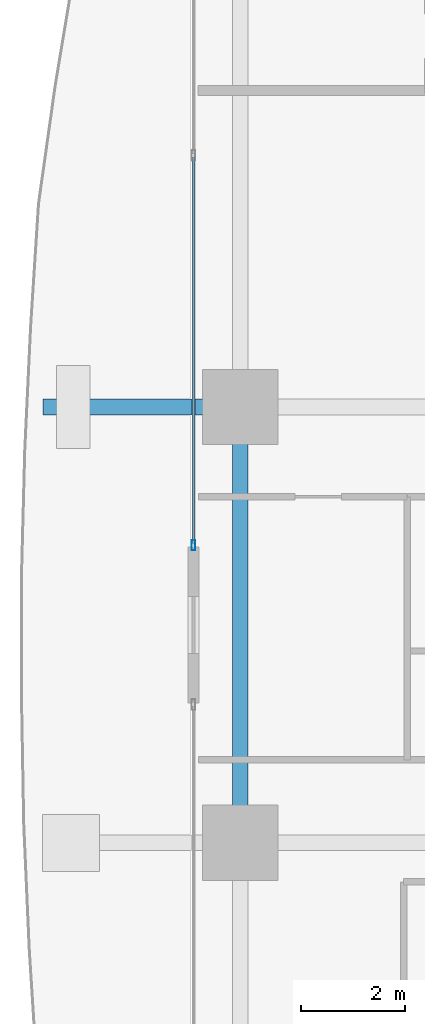
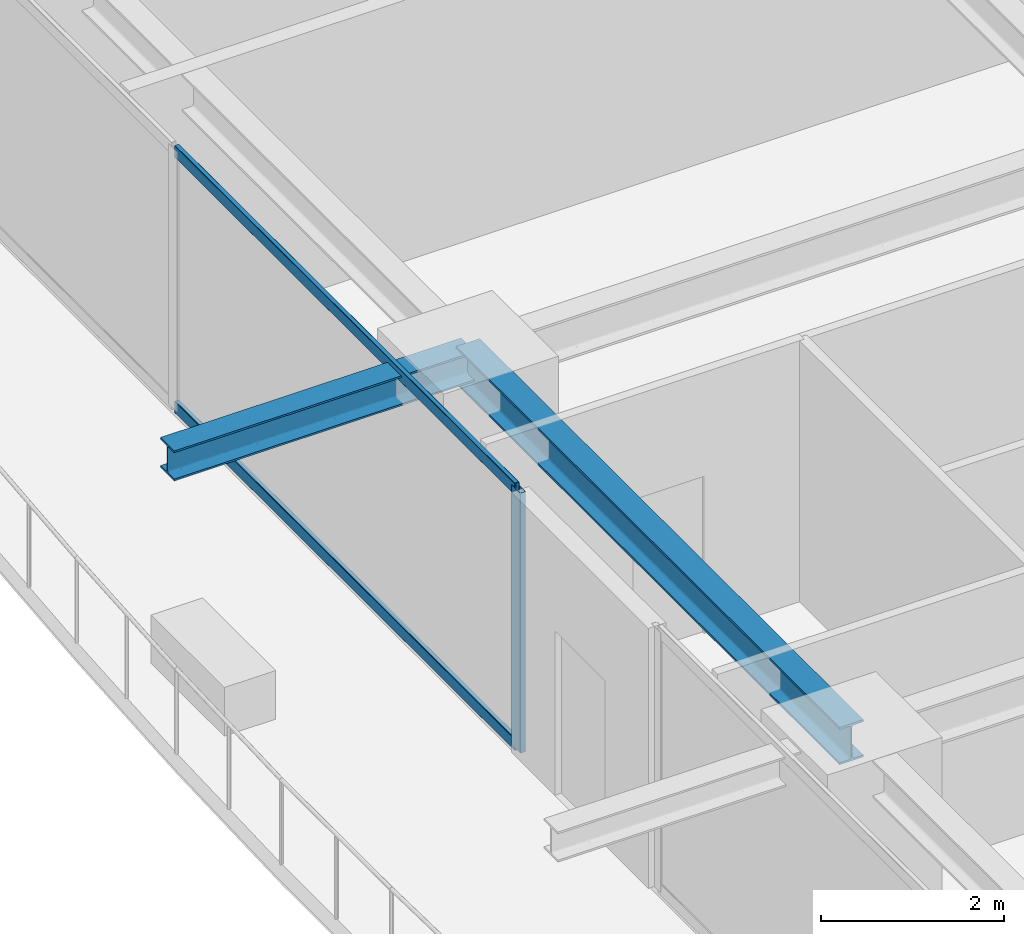
# One storey, part 8 of 34: 3 members, 2 beams, 1 element without a shape of its own.
"""IFC4 building model written with IfcOpenShell, lengths in metres."""

from ifc_helpers import new_model, si_unit, direction, frame, origin, origin_2d, place, context, subcontext, project, spatial, hollow_rectangle, i_section, extrude, source, transform, mapped, material, layer, layer_set, material_profile, profile_set, type_object, element, aggregate, save


model = new_model("IFC4")

# Units and contexts
model_context = context("Model", 3, precision=1e-05, world=origin(), true_north=direction((0.0, 1.0)))
body_context = subcontext(model_context, "Body", "Model", "MODEL_VIEW")
ifc_project = project(units=[si_unit("LENGTHUNIT", "METRE"), si_unit("AREAUNIT", "SQUARE_METRE"), si_unit("VOLUMEUNIT", "CUBIC_METRE"), si_unit("PLANEANGLEUNIT", "RADIAN"), si_unit("MASSUNIT", "GRAM", prefix="KILO")], contexts=[model_context])

# Site, building, storey
site_placement = place(None, origin())
site = spatial("IfcSite", under=ifc_project, at=site_placement, CompositionType="ELEMENT")
building_placement = place(site_placement, origin())
building = spatial("IfcBuilding", under=site, at=building_placement, Name="Serunith Strait Residences", CompositionType="ELEMENT")
storey_placement = place(building_placement, frame((0.0, 0.0, 101.699951171875)))
storey = spatial("IfcBuildingStorey", under=building, at=storey_placement, Name="L25", CompositionType="ELEMENT", Elevation=101.699951171875)

# Beams
ifc_material_1 = material(Name="Steel S355J2", Category="steel")
ifc_material_profile_1 = material_profile(ifc_material_1, i_section(OverallWidth=0.300048828125, OverallDepth=0.5, WebThickness=0.014404296875, FlangeThickness=0.028076171875, FilletRadius=0.027099609375, at=origin_2d()), Name="HEB 500")
ifc_profile_set_1 = profile_set([ifc_material_profile_1], Name="Steel S355J2")
beam_type_1 = type_object("IfcBeamType", Name="BM-HEB500", PredefinedType="BEAM", material=ifc_profile_set_1)
shared_shape_1 = source(origin(), body_context, "Body", "SweptSolid", [
    extrude(i_section(OverallWidth=0.300048828125, OverallDepth=0.5, WebThickness=0.014404296875, FlangeThickness=0.028076171875, FilletRadius=0.027099609375, at=origin_2d()), origin(), (0.0, 0.0, 1.0), 8.39990234375),
])
beam_1_placement = place(storey_placement, frame((6.89990234375, 29.39990234375, 3.237060546875), z_axis=(0.0, -1.0, 0.0), x_axis=(1.0, 0.0, 0.0)))
element("IfcBeam", 1, at=beam_1_placement, inside=storey, type_object=beam_type_1, Name="L25 Perimeter Ring Beam 14", PredefinedType="BEAM", context=body_context, shape_type="MappedRepresentation", body=[
    mapped(shared_shape_1, transform((0.0, 0.0, 0.0), scale=1.0)),
])
ifc_material_profile_2 = material_profile(ifc_material_1, i_section(OverallWidth=0.300048828125, OverallDepth=0.39990234375, WebThickness=0.013427734375, FlangeThickness=0.02392578125, FilletRadius=0.027099609375, at=origin_2d()), Name="HEB 400")
ifc_profile_set_2 = profile_set([ifc_material_profile_2], Name="Steel S355J2")
beam_type_2 = type_object("IfcBeamType", Name="BM-HEB400", PredefinedType="BEAM", material=ifc_profile_set_2)
shared_shape_2 = source(origin(), body_context, "Body", "SweptSolid", [
    extrude(i_section(OverallWidth=0.300048828125, OverallDepth=0.39990234375, WebThickness=0.013427734375, FlangeThickness=0.02392578125, FilletRadius=0.027099609375, at=origin_2d()), origin(), (0.0, 0.0, 1.0), 3.7998046875),
])
beam_2_placement = place(storey_placement, frame((6.89990234375, 29.39990234375, 3.257080078125), z_axis=(-1.0, 0.0, 0.0), x_axis=(0.0, -1.0, 0.0)))
element("IfcBeam", 2, at=beam_2_placement, inside=storey, type_object=beam_type_2, Name="L26 Cantilevered Balcony Rib TC-W3", PredefinedType="BEAM", context=body_context, shape_type="MappedRepresentation", body=[
    mapped(shared_shape_2, transform((0.0, 0.0, 0.0), scale=1.0)),
])

# Curtain wall, members
ifc_material_2 = material(Name="Pale-Champagne Anodised Aluminium", Category="aluminium")
ifc_layer = layer(ifc_material_2, 0.199951171875, Name="Pale-Champagne Anodised Aluminium")
ifc_layer_set = layer_set([ifc_layer], Name="Pale-Champagne Anodised Aluminium")
curtain_wall_type = type_object("IfcCurtainWallType", Name="CW-SYS1", PredefinedType="NOTDEFINED", material=ifc_layer_set)
curtain_wall_placement = place(storey_placement, origin())
curtain_wall = element("IfcCurtainWall", 3, at=curtain_wall_placement, inside=storey, type_object=curtain_wall_type, Name="L25 W Unitised Fritted Curtain Wall", PredefinedType="NOTDEFINED")
ifc_material_profile_3 = material_profile(ifc_material_2, hollow_rectangle(XDim=0.070068359375, YDim=0.199951171875, WallThickness=0.00390625, InnerFilletRadius=0.006103515625, OuterFilletRadius=0.010009765625, at=origin_2d()), Name="ALU 200x70x4")
ifc_profile_set_3 = profile_set([ifc_material_profile_3], Name="Pale-Champagne Anodised Aluminium")
member_type_1 = type_object("IfcMemberType", Name="CW-SYS1-MULL", PredefinedType="MULLION", material=ifc_profile_set_3)
shared_shape_3 = source(origin(), body_context, "Body", "SweptSolid", [
    extrude(hollow_rectangle(XDim=0.070068359375, YDim=0.199951171875, WallThickness=0.00390625, InnerFilletRadius=0.006103515625, OuterFilletRadius=0.010009765625, at=origin_2d()), origin(), (0.0, 0.0, 1.0), 3.47509765625),
])
member_1_placement = place(storey_placement, frame((6.0, 26.735107421875, 0.0), z_axis=(0.0, 0.0, 1.0), x_axis=(1.0, 0.0, 0.0)))
member_1 = element("IfcMember", 4, at=member_1_placement, type_object=member_type_1, Name="CW-1 mullion 3", PredefinedType="MULLION", context=body_context, shape_type="MappedRepresentation", body=[
    mapped(shared_shape_3, transform((0.0, 0.0, 0.0), scale=1.0)),
])
ifc_material_profile_4 = material_profile(ifc_material_2, hollow_rectangle(XDim=0.06005859375, YDim=0.159912109375, WallThickness=0.00341796875, InnerFilletRadius=0.00537109375, OuterFilletRadius=0.0087890625, at=origin_2d()), Name="ALU 160x60x3.5")
ifc_profile_set_4 = profile_set([ifc_material_profile_4], Name="Pale-Champagne Anodised Aluminium")
member_type_2 = type_object("IfcMemberType", Name="CW-SYS1-TRAN", PredefinedType="USERDEFINED", material=ifc_profile_set_4)
shared_shape_4 = source(origin(), body_context, "Body", "SweptSolid", [
    extrude(hollow_rectangle(XDim=0.06005859375, YDim=0.159912109375, WallThickness=0.00341796875, InnerFilletRadius=0.00537109375, OuterFilletRadius=0.0087890625, at=origin_2d()), origin(), (0.0, 0.0, 1.0), 7.445068359375),
])
member_2_placement = place(storey_placement, frame((6.0, 34.215087890625, 0.030029296875), z_axis=(0.0, -1.0, 0.0), x_axis=(1.0, 0.0, 0.0)))
member_2 = element("IfcMember", 5, at=member_2_placement, type_object=member_type_2, Name="CW-1 transom 2.1", ObjectType="TRANSOM", PredefinedType="USERDEFINED", context=body_context, shape_type="MappedRepresentation", body=[
    mapped(shared_shape_4, transform((0.0, 0.0, 0.0), scale=1.0)),
])
member_3_placement = place(storey_placement, frame((6.0, 34.215087890625, 3.445068359375), z_axis=(0.0, -1.0, 0.0), x_axis=(1.0, 0.0, 0.0)))
member_3 = element("IfcMember", 6, at=member_3_placement, type_object=member_type_2, Name="CW-1 transom 2.2", ObjectType="TRANSOM", PredefinedType="USERDEFINED", context=body_context, shape_type="MappedRepresentation", body=[
    mapped(shared_shape_4, transform((0.0, 0.0, 0.0), scale=1.0)),
])
aggregate(curtain_wall, [member_1, member_2, member_3])

save(model, "model.ifc")
